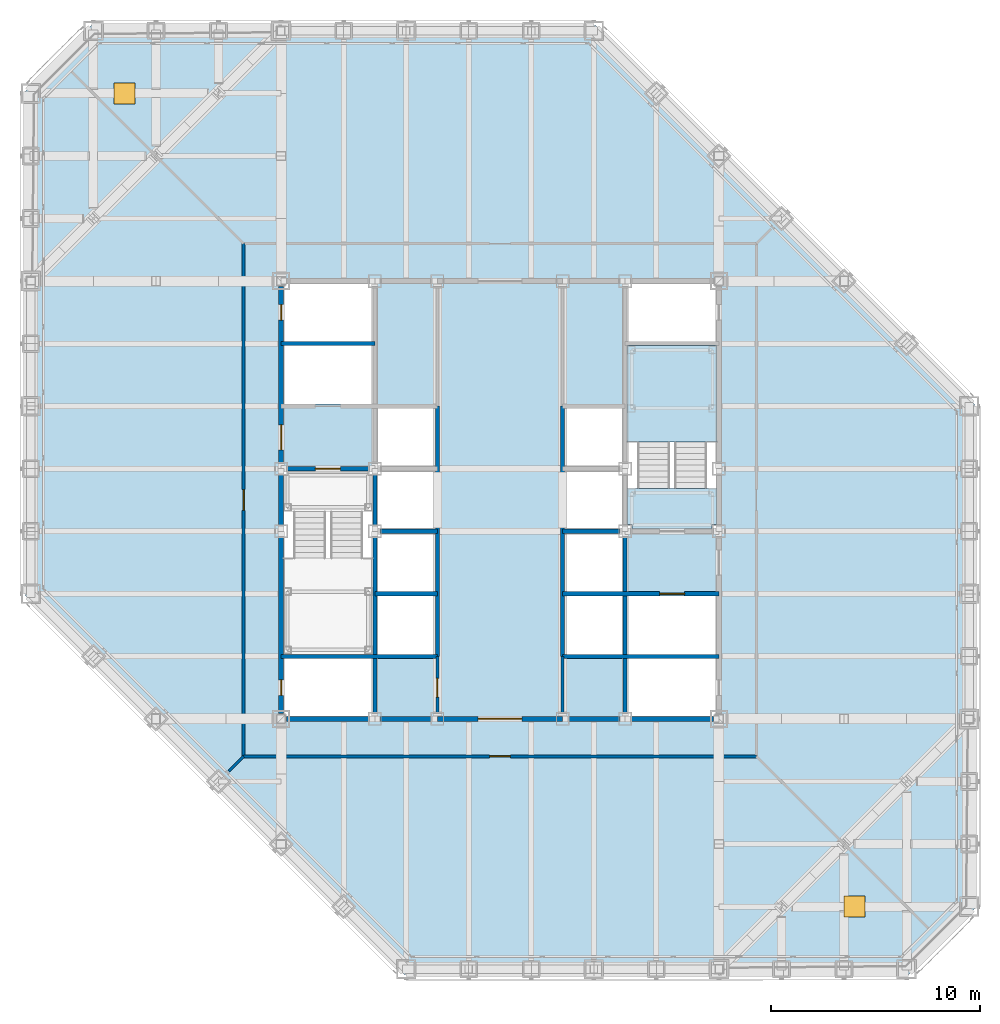
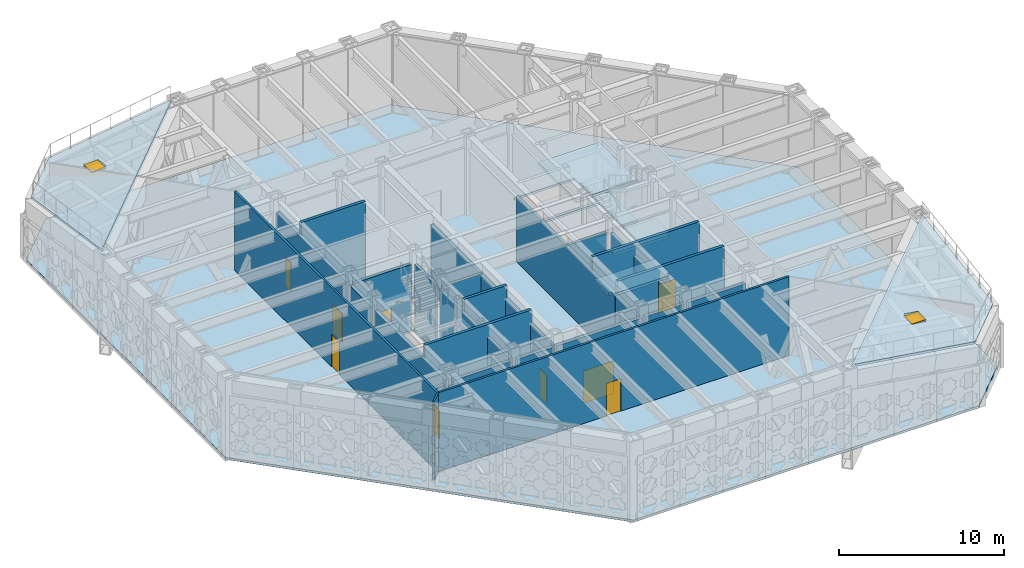
# One storey, part 10 of 28: 26 walls, 11 doors, 7 slabs, 11 openings, 1 element without a shape of its own.
"""IFC4 building model written with IfcOpenShell, lengths in metres."""

from ifc_helpers import new_model, si_unit, direction, frame, frame_2d, origin, origin_2d, place, context, subcontext, project, spatial, polyline, rectangle, outline, extrude, material, layer, layer_set, type_object, element, fill, aggregate, save


model = new_model("IFC4")

# Units and contexts
model_context = context("Model", 3, precision=1e-05, world=origin(), true_north=direction((0.0, 1.0)))
body_context = subcontext(model_context, "Body", "Model", "MODEL_VIEW")
ifc_project = project(units=[si_unit("LENGTHUNIT", "METRE"), si_unit("AREAUNIT", "SQUARE_METRE"), si_unit("VOLUMEUNIT", "CUBIC_METRE"), si_unit("PLANEANGLEUNIT", "RADIAN"), si_unit("MASSUNIT", "GRAM", prefix="KILO")], contexts=[model_context])

# Site, building, storey
site_placement = place(None, origin())
site = spatial("IfcSite", under=ifc_project, at=site_placement, CompositionType="ELEMENT")
building_placement = place(site_placement, origin())
building = spatial("IfcBuilding", under=site, at=building_placement, Name="Chuquiago Exchange Tower", CompositionType="ELEMENT")
storey_placement = place(building_placement, frame((0.0, 0.0, 174.0)))
storey = spatial("IfcBuildingStorey", under=building, at=storey_placement, Name="L38", CompositionType="ELEMENT", Elevation=174.0)

# Slab
ifc_material_1 = material(Name="Concrete C30/37", Category="concrete")
ifc_layer_1 = layer(ifc_material_1, 0.159912109375)
ifc_layer_set_1 = layer_set([ifc_layer_1], Name="FS1 composite floor 160")
slab_type_1 = type_object("IfcSlabType", Name="FS1 composite floor 160", PredefinedType="FLOOR", material=ifc_layer_set_1)
slab_1_placement = place(storey_placement, frame((0.0, 0.0, -0.159912109375)))
element("IfcSlab", 1, at=slab_1_placement, inside=storey, type_object=slab_type_1, Name="L38 floor slab", PredefinedType="FLOOR", context=body_context, shape_type="SweptSolid", body=[
    extrude(outline(polyline([(17.896484375, -0.25), (-0.25, 17.896484375), (-0.25, 42.103515625), (2.896484375, 45.25), (27.103515625, 45.25), (45.25, 27.103515625), (45.25, 2.896484375), (42.103515625, -0.25), (17.896484375, -0.25)]), holes=[polyline([(16.39990234375, 15.10009765625), (12.10009765625, 15.10009765625), (12.10009765625, 23.89990234375), (16.39990234375, 23.89990234375), (16.39990234375, 15.10009765625)]), polyline([(32.89990234375, 21.10009765625), (28.60009765625, 21.10009765625), (28.60009765625, 29.89990234375), (32.89990234375, 29.89990234375), (32.89990234375, 21.10009765625)]), polyline([(16.39990234375, 12.10009765625), (12.10009765625, 12.10009765625), (12.10009765625, 14.89990234375), (16.39990234375, 14.89990234375), (16.39990234375, 12.10009765625)]), polyline([(16.39990234375, 30.10009765625), (12.10009765625, 30.10009765625), (12.10009765625, 32.89990234375), (16.39990234375, 32.89990234375), (16.39990234375, 30.10009765625)]), polyline([(32.89990234375, 12.10009765625), (28.60009765625, 12.10009765625), (28.60009765625, 14.89990234375), (32.89990234375, 14.89990234375), (32.89990234375, 12.10009765625)]), polyline([(32.89990234375, 30.10009765625), (28.60009765625, 30.10009765625), (28.60009765625, 32.89990234375), (32.89990234375, 32.89990234375), (32.89990234375, 30.10009765625)]), polyline([(16.39990234375, 27.10009765625), (12.10009765625, 27.10009765625), (12.10009765625, 29.89990234375), (16.39990234375, 29.89990234375), (16.39990234375, 27.10009765625)]), polyline([(32.89990234375, 15.10009765625), (28.60009765625, 15.10009765625), (28.60009765625, 17.89990234375), (32.89990234375, 17.89990234375), (32.89990234375, 15.10009765625)]), polyline([(19.39990234375, 15.10009765625), (16.60009765625, 15.10009765625), (16.60009765625, 26.89990234375), (19.39990234375, 26.89990234375), (19.39990234375, 15.10009765625)]), polyline([(28.39990234375, 15.10009765625), (25.60009765625, 15.10009765625), (25.60009765625, 26.89990234375), (28.39990234375, 26.89990234375), (28.39990234375, 15.10009765625)])]), origin(), (0.0, 0.0, 1.0), 0.159912109375),
])

# Slab, opening, door
ifc_material_2 = material(Name="Concrete C30/37", Category="concrete")
ifc_layer_2 = layer(ifc_material_2, 0.199951171875)
ifc_layer_set_2 = layer_set([ifc_layer_2], Name="RS2 facet roof 200")
slab_type_2 = type_object("IfcSlabType", Name="RS2 facet roof 200", PredefinedType="ROOF", material=ifc_layer_set_2)
slab_2_placement = place(storey_placement, frame((45.0, 3.0, 4.647216796875), z_axis=(0.14704136154, -0.14704136154, 0.978139906145), x_axis=(-0.707106781187, -0.707106781187, 0.0)))
slab_2 = element("IfcSlab", 2, at=slab_2_placement, inside=storey, type_object=slab_type_2, Name="Facet roof L38 SE, maintenance access only", PredefinedType="ROOF", context=body_context, shape_type="SweptSolid", body=[
    extrude(outline(polyline([(0.0, 0.0), (4.242640687119286, 0.0), (10.356628422105313, -6.250627028483348), (-6.113987734986027, -6.250627028483347), (0.0, 0.0)])), origin(), (0.0, 0.0, -1.0), 0.199951171875),
])
opening_1_placement = place(storey_placement, frame((39.5, 3.0, 4.969482421875)))
opening_1 = element("IfcOpeningElement", 3, at=opening_1_placement, cuts=slab_2, Name="Opening RH2", PredefinedType="OPENING", context=body_context, shape_type="SweptSolid", body=[
    extrude(rectangle(XDim=1.0, YDim=1.0, at=origin_2d()), origin(), (0.0, 0.0, 1.0), 0.804443359375),
])
ifc_material_3 = material(Name="Aluminium hatch, insulated, with upstand", Category="aluminium")
door_type_1 = type_object("IfcDoorType", Name="RH2 roof hatch 1000x1000", OperationType="SINGLE_SWING_LEFT", PredefinedType="TRAPDOOR", material=ifc_material_3)
door_1_placement = place(opening_1_placement, frame((0.0, 0.0, 0.454345703125)))
door_1 = element("IfcDoor", 4, at=door_1_placement, inside=storey, type_object=door_type_1, Name="Facet roof L38 SE access hatch, maintenance only", OperationType="SINGLE_SWING_LEFT", OverallHeight=1.0, OverallWidth=1.0, PredefinedType="TRAPDOOR", context=body_context, shape_type="SweptSolid", body=[
    extrude(rectangle(XDim=1.0, YDim=1.0, at=origin_2d()), origin(), (0.0, 0.0, 1.0), 0.050048828125),
])
fill(opening_1, door_1)

slab_3_placement = place(storey_placement, frame((0.0, 42.0, 4.647216796875), z_axis=(-0.14704136154, 0.14704136154, 0.978139906145), x_axis=(0.707106781187, 0.707106781187, 0.0)))
slab_3 = element("IfcSlab", 5, at=slab_3_placement, inside=storey, type_object=slab_type_2, Name="Facet roof L38 NW, maintenance access only", PredefinedType="ROOF", context=body_context, shape_type="SweptSolid", body=[
    extrude(outline(polyline([(0.0, 0.0), (4.242640687119286, 0.0), (10.356628422105313, -6.250627028483348), (-6.113987734986027, -6.250627028483347), (0.0, 0.0)])), origin(), (0.0, 0.0, -1.0), 0.199951171875),
])
opening_2_placement = place(storey_placement, frame((4.5, 42.0, 4.8193359375)))
opening_2 = element("IfcOpeningElement", 6, at=opening_2_placement, cuts=slab_3, Name="Opening RH2", PredefinedType="OPENING", context=body_context, shape_type="SweptSolid", body=[
    extrude(rectangle(XDim=1.0, YDim=1.0, at=origin_2d()), origin(), (0.0, 0.0, 1.0), 0.804443359375),
])
door_2_placement = place(opening_2_placement, frame((0.0, 0.0, 0.454345703125)))
door_2 = element("IfcDoor", 7, at=door_2_placement, inside=storey, type_object=door_type_1, Name="Facet roof L38 NW access hatch, maintenance only", OperationType="SINGLE_SWING_LEFT", OverallHeight=1.0, OverallWidth=1.0, PredefinedType="TRAPDOOR", context=body_context, shape_type="SweptSolid", body=[
    extrude(rectangle(XDim=1.0, YDim=1.0, at=origin_2d()), origin(), (0.0, 0.0, 1.0), 0.050048828125),
])
fill(opening_2, door_2)

# Stair, slabs
ifc_material_4 = material(Name="Concrete C30/37, precast", Category="concrete")
stair_type = type_object("IfcStairType", Name="ST2 double half-turn stair 6000", PredefinedType="DOUBLE_RETURN_STAIR", material=ifc_material_4)
stair_placement = place(storey_placement, origin())
stair = element("IfcStair", 8, at=stair_placement, inside=storey, type_object=stair_type, Name="Stair ST2 L38", PredefinedType="DOUBLE_RETURN_STAIR")
ifc_material_5 = material(Name="Concrete C30/37, precast", Category="concrete")
ifc_layer_3 = layer(ifc_material_5, 0.199951171875)
ifc_layer_set_3 = layer_set([ifc_layer_3], Name="ST-L landing 200")
slab_type_3 = type_object("IfcSlabType", Name="ST-L landing 200", PredefinedType="LANDING", material=ifc_layer_set_3)
slab_4_placement = place(storey_placement, frame((0.0, 0.0, -0.199951171875)))
slab_4 = element("IfcSlab", 9, at=slab_4_placement, type_object=slab_type_3, Name="ST2 landing 1", PredefinedType="LANDING", context=body_context, shape_type="SweptSolid", body=[
    extrude(outline(polyline([(32.675048828125, 21.324951171875), (32.675048828125, 21.10009765625), (28.824951171875, 21.10009765625), (28.824951171875, 21.324951171875), (28.60009765625, 21.324951171875), (28.60009765625, 23.050048828125), (32.89990234375, 23.050048828125), (32.89990234375, 21.324951171875), (32.675048828125, 21.324951171875)])), origin(), (0.0, 0.0, 1.0), 0.199951171875),
])
slab_5_placement = place(storey_placement, frame((0.0, 0.0, 1.300048828125)))
slab_5 = element("IfcSlab", 10, at=slab_5_placement, type_object=slab_type_3, Name="ST2 landing 2", PredefinedType="LANDING", context=body_context, shape_type="SweptSolid", body=[
    extrude(outline(polyline([(28.60009765625, 29.89990234375), (32.89990234375, 29.89990234375), (32.89990234375, 25.2900390625), (28.60009765625, 25.2900390625), (28.60009765625, 29.89990234375)])), origin(), (0.0, 0.0, 1.0), 0.199951171875),
])
slab_6_placement = place(storey_placement, frame((0.0, 0.0, 2.800048828125)))
slab_6 = element("IfcSlab", 11, at=slab_6_placement, type_object=slab_type_3, Name="ST2 landing 3", PredefinedType="LANDING", context=body_context, shape_type="SweptSolid", body=[
    extrude(outline(polyline([(32.675048828125, 21.324951171875), (32.675048828125, 21.10009765625), (28.824951171875, 21.10009765625), (28.824951171875, 21.324951171875), (28.60009765625, 21.324951171875), (28.60009765625, 23.050048828125), (32.89990234375, 23.050048828125), (32.89990234375, 21.324951171875), (32.675048828125, 21.324951171875)])), origin(), (0.0, 0.0, 1.0), 0.199951171875),
])
slab_7_placement = place(storey_placement, frame((0.0, 0.0, 4.300048828125)))
slab_7 = element("IfcSlab", 12, at=slab_7_placement, type_object=slab_type_3, Name="ST2 landing 4", PredefinedType="LANDING", context=body_context, shape_type="SweptSolid", body=[
    extrude(outline(polyline([(28.60009765625, 29.89990234375), (32.89990234375, 29.89990234375), (32.89990234375, 25.2900390625), (28.60009765625, 25.2900390625), (28.60009765625, 29.89990234375)])), origin(), (0.0, 0.0, 1.0), 0.199951171875),
])
aggregate(stair, [slab_4, slab_5, slab_6, slab_7])

# Wall, opening, door
ifc_material_6 = material(Name="Concrete masonry, fully grouted", Category="masonry")
ifc_layer_4 = layer(ifc_material_6, 0.25)
ifc_layer_set_4 = layer_set([ifc_layer_4], Name="W1 core wall 250")
wall_type_1 = type_object("IfcWallType", Name="W1 core wall 250", PredefinedType="SOLIDWALL", material=ifc_layer_set_4)
wall_1_placement = place(storey_placement, frame((12.0, 12.25, 0.0), z_axis=(0.0, 0.0, 1.0), x_axis=(0.0, 1.0, 0.0)))
wall_1 = element("IfcWall", 13, at=wall_1_placement, inside=storey, type_object=wall_type_1, Name="CW-L38-00-0", PredefinedType="SOLIDWALL", context=body_context, shape_type="SweptSolid", body=[
    extrude(rectangle(XDim=8.5, YDim=0.25, at=frame_2d((4.25, 0.0))), origin(), (0.0, 0.0, 1.0), 4.912841796875),
])
opening_3_placement = place(wall_1_placement, frame((0.875, 0.0, 0.0)))
opening_3 = element("IfcOpeningElement", 14, at=opening_3_placement, cuts=wall_1, Name="Opening L38-009", PredefinedType="OPENING", context=body_context, shape_type="SweptSolid", body=[
    extrude(rectangle(XDim=0.75, YDim=2.10009765625, at=frame_2d((0.375, 1.050048828125))), frame((0.0, 0.135009765625, 0.0), z_axis=(0.0, -1.0, 0.0), x_axis=(1.0, 0.0, 0.0)), (0.0, 0.0, 1.0), 0.27001953125),
])
ifc_material_7 = material(Name="Steel door, painted", Category="steel")
door_type_2 = type_object("IfcDoorType", Name="D6 riser access door 750x2100", OperationType="SINGLE_SWING_LEFT", PredefinedType="DOOR", material=ifc_material_7)
door_3_placement = place(opening_3_placement, frame((0.75, 0.0, 0.0), z_axis=(0.0, 0.0, 1.0), x_axis=(-1.0, 0.0, 0.0)))
door_3 = element("IfcDoor", 15, at=door_3_placement, inside=storey, type_object=door_type_2, Name="Riser RW1 door", OperationType="SINGLE_SWING_RIGHT", OverallHeight=2.10009765625, OverallWidth=0.75, PredefinedType="DOOR", context=body_context, shape_type="SweptSolid", body=[
    extrude(rectangle(XDim=0.75, YDim=2.10009765625, at=frame_2d((0.375, 1.050048828125))), frame((0.0, 0.02490234375, 0.0), z_axis=(0.0, -1.0, 0.0), x_axis=(1.0, 0.0, 0.0)), (0.0, 0.0, 1.0), 0.050048828125),
])
fill(opening_3, door_3)

# Wall
wall_2_placement = place(storey_placement, frame((12.0, 21.25, 0.0), z_axis=(0.0, 0.0, 1.0), x_axis=(0.0, 1.0, 0.0)))
element("IfcWall", 16, at=wall_2_placement, inside=storey, type_object=wall_type_1, Name="CW-L38-00-1", PredefinedType="SOLIDWALL", context=body_context, shape_type="SweptSolid", body=[
    extrude(rectangle(XDim=2.5, YDim=0.25, at=frame_2d((1.25, 0.0))), origin(), (0.0, 0.0, 1.0), 4.912841796875),
])

# Wall, openings, doors
wall_3_placement = place(storey_placement, frame((12.0, 24.25, 0.0), z_axis=(0.0, 0.0, 1.0), x_axis=(0.0, 1.0, 0.0)))
wall_3 = element("IfcWall", 17, at=wall_3_placement, inside=storey, type_object=wall_type_1, Name="CW-L38-00-2", PredefinedType="SOLIDWALL", context=body_context, shape_type="SweptSolid", body=[
    extrude(rectangle(XDim=8.5, YDim=0.25, at=frame_2d((4.25, 0.0))), origin(), (0.0, 0.0, 1.0), 4.912841796875),
])
opening_4_placement = place(wall_3_placement, frame((0.64990234375, 0.0, 0.0)))
opening_4 = element("IfcOpeningElement", 18, at=opening_4_placement, cuts=wall_3, Name="Opening L38-004", PredefinedType="OPENING", context=body_context, shape_type="SweptSolid", body=[
    extrude(rectangle(XDim=1.199951171875, YDim=2.10009765625, at=frame_2d((0.60009765625, 1.050048828125))), frame((0.0, 0.135009765625, 0.0), z_axis=(0.0, -1.0, 0.0), x_axis=(1.0, 0.0, 0.0)), (0.0, 0.0, 1.0), 0.27001953125),
])
opening_5_placement = place(wall_3_placement, frame((6.875, 0.0, 0.0)))
opening_5 = element("IfcOpeningElement", 19, at=opening_5_placement, cuts=wall_3, Name="Opening L38-010", PredefinedType="OPENING", context=body_context, shape_type="SweptSolid", body=[
    extrude(rectangle(XDim=0.75, YDim=2.10009765625, at=frame_2d((0.375, 1.050048828125))), frame((0.0, 0.135009765625, 0.0), z_axis=(0.0, -1.0, 0.0), x_axis=(1.0, 0.0, 0.0)), (0.0, 0.0, 1.0), 0.27001953125),
])
ifc_material_8 = material(Name="Steel door, painted", Category="steel")
door_type_3 = type_object("IfcDoorType", Name="D5 firefighting lobby door 1200x2100", OperationType="SINGLE_SWING_LEFT", PredefinedType="DOOR", material=ifc_material_8)
door_4_placement = place(opening_4_placement, frame((1.199951171875, 0.0, 0.0), z_axis=(0.0, 0.0, 1.0), x_axis=(-1.0, 0.0, 0.0)))
door_4 = element("IfcDoor", 20, at=door_4_placement, inside=storey, type_object=door_type_3, Name="Firefighting lobby 1 door", OperationType="SINGLE_SWING_RIGHT", OverallHeight=2.10009765625, OverallWidth=1.199951171875, PredefinedType="DOOR", context=body_context, shape_type="SweptSolid", body=[
    extrude(rectangle(XDim=1.199951171875, YDim=2.10009765625, at=frame_2d((0.60009765625, 1.050048828125))), frame((0.0, 0.02490234375, 0.0), z_axis=(0.0, -1.0, 0.0), x_axis=(1.0, 0.0, 0.0)), (0.0, 0.0, 1.0), 0.050048828125),
])
fill(opening_4, door_4)
door_5_placement = place(opening_5_placement, frame((0.75, 0.0, 0.0), z_axis=(0.0, 0.0, 1.0), x_axis=(-1.0, 0.0, 0.0)))
door_5 = element("IfcDoor", 21, at=door_5_placement, inside=storey, type_object=door_type_2, Name="Riser RW2 door", OperationType="SINGLE_SWING_LEFT", OverallHeight=2.10009765625, OverallWidth=0.75, PredefinedType="DOOR", context=body_context, shape_type="SweptSolid", body=[
    extrude(rectangle(XDim=0.75, YDim=2.10009765625, at=frame_2d((0.375, 1.050048828125))), frame((0.0, 0.02490234375, 0.0), z_axis=(0.0, -1.0, 0.0), x_axis=(1.0, 0.0, 0.0)), (0.0, 0.0, 1.0), 0.050048828125),
])
fill(opening_5, door_5)

# Walls
wall_4_placement = place(storey_placement, frame((12.25, 12.0, 0.0), z_axis=(0.0, 0.0, 1.0), x_axis=(1.0, 0.0, 0.0)))
element("IfcWall", 22, at=wall_4_placement, inside=storey, type_object=wall_type_1, Name="CW-L38-01-0", PredefinedType="SOLIDWALL", context=body_context, shape_type="SweptSolid", body=[
    extrude(rectangle(XDim=4.0, YDim=0.25, at=frame_2d((2.0, 0.0))), origin(), (0.0, 0.0, 1.0), 4.9814453125),
])
for number, where, z_axis, x_axis, name in (
    (23, (16.75, 12.0, 0.0), (0.0, 0.0, 1.0), (1.0, 0.0, 0.0), "CW-L38-01-1"),
    (24, (25.75, 12.0, 0.0), (0.0, 0.0, 1.0), (1.0, 0.0, 0.0), "CW-L38-02-0"),
):
    element("IfcWall", number, at=place(storey_placement, frame(where, z_axis=z_axis, x_axis=x_axis)), inside=storey, type_object=wall_type_1, Name=name, PredefinedType="SOLIDWALL", context=body_context, shape_type="SweptSolid", body=[
        extrude(rectangle(XDim=2.5, YDim=0.25, at=frame_2d((1.25, 0.0))), origin(), (0.0, 0.0, 1.0), 4.9814453125),
    ])
wall_5_placement = place(storey_placement, frame((28.75, 12.0, 0.0), z_axis=(0.0, 0.0, 1.0), x_axis=(1.0, 0.0, 0.0)))
element("IfcWall", 25, at=wall_5_placement, inside=storey, type_object=wall_type_1, Name="CW-L38-02-1", PredefinedType="SOLIDWALL", context=body_context, shape_type="SweptSolid", body=[
    extrude(rectangle(XDim=4.0, YDim=0.25, at=frame_2d((2.0, 0.0))), origin(), (0.0, 0.0, 1.0), 4.9814453125),
])

# Wall, opening, door
wall_6_placement = place(storey_placement, frame((19.5, 12.0, 0.0), z_axis=(0.0, 0.0, 1.0), x_axis=(1.0, 0.0, 0.0)))
wall_6 = element("IfcWall", 26, at=wall_6_placement, inside=storey, type_object=wall_type_1, Name="CW-L38-LLS", PredefinedType="SOLIDWALL", context=body_context, shape_type="SweptSolid", body=[
    extrude(rectangle(XDim=6.0, YDim=0.25, at=frame_2d((3.0, 0.0))), origin(), (0.0, 0.0, 1.0), 4.9814453125),
])
opening_6_placement = place(wall_6_placement, frame((1.949951171875, 0.0, 0.0)))
opening_6 = element("IfcOpeningElement", 27, at=opening_6_placement, cuts=wall_6, Name="Opening L38-001", PredefinedType="OPENING", context=body_context, shape_type="SweptSolid", body=[
    extrude(rectangle(XDim=2.10009765625, YDim=2.39990234375, at=frame_2d((1.050048828125, 1.199951171875))), frame((0.0, 0.135009765625, 0.0), z_axis=(0.0, -1.0, 0.0), x_axis=(1.0, 0.0, 0.0)), (0.0, 0.0, 1.0), 0.27001953125),
])
ifc_material_9 = material(Name="Steel door, painted", Category="steel")
door_type_4 = type_object("IfcDoorType", Name="D11 plant room double door 2100x2400", OperationType="DOUBLE_DOOR_DOUBLE_SWING", PredefinedType="DOOR", material=ifc_material_9)
door_6_placement = place(opening_6_placement, origin())
door_6 = element("IfcDoor", 28, at=door_6_placement, inside=storey, type_object=door_type_4, Name="Plant room door S", OperationType="DOUBLE_DOOR_DOUBLE_SWING", OverallHeight=2.39990234375, OverallWidth=2.10009765625, PredefinedType="DOOR", context=body_context, shape_type="SweptSolid", body=[
    extrude(rectangle(XDim=2.10009765625, YDim=2.39990234375, at=frame_2d((1.050048828125, 1.199951171875))), frame((0.0, 0.02490234375, 0.0), z_axis=(0.0, -1.0, 0.0), x_axis=(1.0, 0.0, 0.0)), (0.0, 0.0, 1.0), 0.050048828125),
])
fill(opening_6, door_6)

ifc_material_10 = material(Name="Gypsum board on steel studs, acoustic insulation", Category="steel")
ifc_layer_5 = layer(ifc_material_10, 0.14990234375)
ifc_layer_set_5 = layer_set([ifc_layer_5], Name="W11 corridor wall 150")
wall_type_2 = type_object("IfcWallType", Name="W11 corridor wall 150", PredefinedType="PARTITIONING", material=ifc_layer_set_5)
wall_7_placement = place(storey_placement, frame((10.199951171875, 10.199951171875, 0.0), z_axis=(0.0, 0.0, 1.0), x_axis=(1.0, 0.0, 0.0)))
wall_7 = element("IfcWall", 29, at=wall_7_placement, inside=storey, type_object=wall_type_2, Name="PW-L38-PCS", PredefinedType="PARTITIONING", context=body_context, shape_type="SweptSolid", body=[
    extrude(rectangle(XDim=24.60009765625, YDim=0.14990234375, at=frame_2d((12.300048828125, 0.0))), origin(), (0.0, 0.0, 1.0), 5.840087890625),
])
opening_7_placement = place(wall_7_placement, frame((11.800048828125, 0.0, 0.0)))
opening_7 = element("IfcOpeningElement", 30, at=opening_7_placement, cuts=wall_7, Name="Opening L38-014", PredefinedType="OPENING", context=body_context, shape_type="SweptSolid", body=[
    extrude(rectangle(XDim=1.0, YDim=2.39990234375, at=frame_2d((0.5, 1.199951171875))), frame((0.0, 0.0849609375, 0.0), z_axis=(0.0, -1.0, 0.0), x_axis=(1.0, 0.0, 0.0)), (0.0, 0.0, 1.0), 0.169921875),
])
ifc_material_11 = material(Name="Timber door, laminate faced", Category="wood")
door_type_5 = type_object("IfcDoorType", Name="D9 room door 1000x2400", OperationType="SINGLE_SWING_LEFT", PredefinedType="DOOR", material=ifc_material_11)
door_7_placement = place(opening_7_placement, frame((1.0, 0.0, 0.0), z_axis=(0.0, 0.0, 1.0), x_axis=(-1.0, 0.0, 0.0)))
door_7 = element("IfcDoor", 31, at=door_7_placement, inside=storey, type_object=door_type_5, Name="Plant corridor south door", OperationType="SINGLE_SWING_LEFT", OverallHeight=2.39990234375, OverallWidth=1.0, PredefinedType="DOOR", context=body_context, shape_type="SweptSolid", body=[
    extrude(rectangle(XDim=1.0, YDim=2.39990234375, at=frame_2d((0.5, 1.199951171875))), frame((0.0, 0.02490234375, 0.0), z_axis=(0.0, -1.0, 0.0), x_axis=(1.0, 0.0, 0.0)), (0.0, 0.0, 1.0), 0.050048828125),
])
fill(opening_7, door_7)

wall_8_placement = place(storey_placement, frame((10.199951171875, 10.199951171875, 0.0), z_axis=(0.0, 0.0, 1.0), x_axis=(0.0, 1.0, 0.0)))
wall_8 = element("IfcWall", 32, at=wall_8_placement, inside=storey, type_object=wall_type_2, Name="PW-L38-PCW", PredefinedType="PARTITIONING", context=body_context, shape_type="SweptSolid", body=[
    extrude(rectangle(XDim=24.60009765625, YDim=0.14990234375, at=frame_2d((12.300048828125, 0.0))), origin(), (0.0, 0.0, 1.0), 5.840087890625),
])
opening_8_placement = place(wall_8_placement, frame((11.800048828125, 0.0, 0.0)))
opening_8 = element("IfcOpeningElement", 33, at=opening_8_placement, cuts=wall_8, Name="Opening L38-016", PredefinedType="OPENING", context=body_context, shape_type="SweptSolid", body=[
    extrude(rectangle(XDim=1.0, YDim=2.39990234375, at=frame_2d((0.5, 1.199951171875))), frame((0.0, 0.0849609375, 0.0), z_axis=(0.0, -1.0, 0.0), x_axis=(1.0, 0.0, 0.0)), (0.0, 0.0, 1.0), 0.169921875),
])
door_8_placement = place(opening_8_placement, origin())
door_8 = element("IfcDoor", 34, at=door_8_placement, inside=storey, type_object=door_type_5, Name="Plant corridor west door", OperationType="SINGLE_SWING_RIGHT", OverallHeight=2.39990234375, OverallWidth=1.0, PredefinedType="DOOR", context=body_context, shape_type="SweptSolid", body=[
    extrude(rectangle(XDim=1.0, YDim=2.39990234375, at=frame_2d((0.5, 1.199951171875))), frame((0.0, 0.02490234375, 0.0), z_axis=(0.0, -1.0, 0.0), x_axis=(1.0, 0.0, 0.0)), (0.0, 0.0, 1.0), 0.050048828125),
])
fill(opening_8, door_8)

# Walls
ifc_material_12 = material(Name="Concrete masonry, fully grouted", Category="masonry")
ifc_layer_6 = layer(ifc_material_12, 0.199951171875)
ifc_layer_set_6 = layer_set([ifc_layer_6], Name="W2 shaft wall 200")
wall_type_3 = type_object("IfcWallType", Name="W2 shaft wall 200", PredefinedType="SOLIDWALL", material=ifc_layer_set_6)
for number, where, z_axis, x_axis, name in (
    (35, (12.0, 15.0, 0.0), (0.0, 0.0, 1.0), (1.0, 0.0, 0.0), "CW-L38-03-0"),
    (36, (25.5, 15.0, 0.0), (0.0, 0.0, 1.0), (1.0, 0.0, 0.0), "CW-L38-04-0"),
):
    element("IfcWall", number, at=place(storey_placement, frame(where, z_axis=z_axis, x_axis=x_axis)), inside=storey, type_object=wall_type_3, Name=name, PredefinedType="SOLIDWALL", context=body_context, shape_type="SweptSolid", body=[
        extrude(rectangle(XDim=7.5, YDim=0.199951171875, at=frame_2d((3.75, 0.0))), origin(), (0.0, 0.0, 1.0), 5.840087890625),
    ])

# Wall, opening, door
wall_9_placement = place(storey_placement, frame((12.25, 24.0, 0.0), z_axis=(0.0, 0.0, 1.0), x_axis=(1.0, 0.0, 0.0)))
wall_9 = element("IfcWall", 37, at=wall_9_placement, inside=storey, type_object=wall_type_3, Name="CW-L38-05-0", PredefinedType="SOLIDWALL", context=body_context, shape_type="SweptSolid", body=[
    extrude(rectangle(XDim=4.0, YDim=0.199951171875, at=frame_2d((2.0, 0.0))), origin(), (0.0, 0.0, 1.0), 4.889892578125),
])
opening_9_placement = place(wall_9_placement, frame((1.39990234375, 0.0, 0.0)))
opening_9 = element("IfcOpeningElement", 38, at=opening_9_placement, cuts=wall_9, Name="Opening L38-003", PredefinedType="OPENING", context=body_context, shape_type="SweptSolid", body=[
    extrude(rectangle(XDim=1.199951171875, YDim=2.10009765625, at=frame_2d((0.60009765625, 1.050048828125))), frame((0.0, 0.10986328125, 0.0), z_axis=(0.0, -1.0, 0.0), x_axis=(1.0, 0.0, 0.0)), (0.0, 0.0, 1.0), 0.219970703125),
])
ifc_material_13 = material(Name="Steel door, painted", Category="steel")
door_type_6 = type_object("IfcDoorType", Name="D4 stair door 1200x2100", OperationType="SINGLE_SWING_LEFT", PredefinedType="DOOR", material=ifc_material_13)
door_9_placement = place(opening_9_placement, frame((1.199951171875, 0.0, 0.0), z_axis=(0.0, 0.0, 1.0), x_axis=(-1.0, 0.0, 0.0)))
door_9 = element("IfcDoor", 39, at=door_9_placement, inside=storey, type_object=door_type_6, Name="Stair ST1 door", OperationType="SINGLE_SWING_RIGHT", OverallHeight=2.10009765625, OverallWidth=1.199951171875, PredefinedType="DOOR", context=body_context, shape_type="SweptSolid", body=[
    extrude(rectangle(XDim=1.199951171875, YDim=2.10009765625, at=frame_2d((0.60009765625, 1.050048828125))), frame((0.0, 0.02490234375, 0.0), z_axis=(0.0, -1.0, 0.0), x_axis=(1.0, 0.0, 0.0)), (0.0, 0.0, 1.0), 0.050048828125),
])
fill(opening_9, door_9)

# Walls
wall_10_placement = place(storey_placement, frame((12.0, 30.0, 0.0), z_axis=(0.0, 0.0, 1.0), x_axis=(1.0, 0.0, 0.0)))
element("IfcWall", 40, at=wall_10_placement, inside=storey, type_object=wall_type_3, Name="CW-L38-09-0", PredefinedType="SOLIDWALL", context=body_context, shape_type="SweptSolid", body=[
    extrude(rectangle(XDim=4.5, YDim=0.199951171875, at=frame_2d((2.25, 0.0))), origin(), (0.0, 0.0, 1.0), 5.840087890625),
])
wall_11_placement = place(storey_placement, frame((16.5, 12.25, 0.0), z_axis=(0.0, 0.0, 1.0), x_axis=(0.0, 1.0, 0.0)))
element("IfcWall", 41, at=wall_11_placement, inside=storey, type_object=wall_type_3, Name="CW-L38-13-0", PredefinedType="SOLIDWALL", context=body_context, shape_type="SweptSolid", body=[
    extrude(rectangle(XDim=8.5, YDim=0.199951171875, at=frame_2d((4.25, 0.0))), origin(), (0.0, 0.0, 1.0), 4.912841796875),
])
wall_12_placement = place(storey_placement, frame((16.5, 21.25, 0.0), z_axis=(0.0, 0.0, 1.0), x_axis=(0.0, 1.0, 0.0)))
element("IfcWall", 42, at=wall_12_placement, inside=storey, type_object=wall_type_3, Name="CW-L38-13-1", PredefinedType="SOLIDWALL", context=body_context, shape_type="SweptSolid", body=[
    extrude(rectangle(XDim=2.5, YDim=0.199951171875, at=frame_2d((1.25, 0.0))), origin(), (0.0, 0.0, 1.0), 4.912841796875),
])
wall_13_placement = place(storey_placement, frame((16.5, 18.0, 0.0), z_axis=(0.0, 0.0, 1.0), x_axis=(1.0, 0.0, 0.0)))
element("IfcWall", 43, at=wall_13_placement, inside=storey, type_object=wall_type_3, Name="CW-L38-14-0", PredefinedType="SOLIDWALL", context=body_context, shape_type="SweptSolid", body=[
    extrude(rectangle(XDim=3.0, YDim=0.199951171875, at=frame_2d((1.5, 0.0))), origin(), (0.0, 0.0, 1.0), 5.840087890625),
])

# Wall, opening, door
wall_14_placement = place(storey_placement, frame((25.5, 18.0, 0.0), z_axis=(0.0, 0.0, 1.0), x_axis=(1.0, 0.0, 0.0)))
wall_14 = element("IfcWall", 44, at=wall_14_placement, inside=storey, type_object=wall_type_3, Name="CW-L38-15-0", PredefinedType="SOLIDWALL", context=body_context, shape_type="SweptSolid", body=[
    extrude(rectangle(XDim=7.5, YDim=0.199951171875, at=frame_2d((3.75, 0.0))), origin(), (0.0, 0.0, 1.0), 5.840087890625),
])
opening_10_placement = place(wall_14_placement, frame((4.64990234375, 0.0, 0.0)))
opening_10 = element("IfcOpeningElement", 45, at=opening_10_placement, cuts=wall_14, Name="Opening L38-008", PredefinedType="OPENING", context=body_context, shape_type="SweptSolid", body=[
    extrude(rectangle(XDim=1.199951171875, YDim=2.10009765625, at=frame_2d((0.60009765625, 1.050048828125))), frame((0.0, 0.10986328125, 0.0), z_axis=(0.0, -1.0, 0.0), x_axis=(1.0, 0.0, 0.0)), (0.0, 0.0, 1.0), 0.219970703125),
])
ifc_material_14 = material(Name="Stainless steel lift landing door", Category="steel")
door_type_7 = type_object("IfcDoorType", Name="LD2 firefighting lift landing door 1200x2100", OperationType="DOUBLE_DOOR_SLIDING", PredefinedType="DOOR", material=ifc_material_14)
door_10_placement = place(opening_10_placement, origin())
door_10 = element("IfcDoor", 46, at=door_10_placement, inside=storey, type_object=door_type_7, Name="Firefighting lift FL2 landing door", OperationType="DOUBLE_DOOR_SLIDING", OverallHeight=2.10009765625, OverallWidth=1.199951171875, PredefinedType="DOOR", context=body_context, shape_type="SweptSolid", body=[
    extrude(rectangle(XDim=1.199951171875, YDim=2.10009765625, at=frame_2d((0.60009765625, 1.050048828125))), frame((0.0, 0.02490234375, 0.0), z_axis=(0.0, -1.0, 0.0), x_axis=(1.0, 0.0, 0.0)), (0.0, 0.0, 1.0), 0.050048828125),
])
fill(opening_10, door_10)

# Walls
for number, where, z_axis, x_axis, name in (
    (47, (16.75, 21.0, 0.0), (0.0, 0.0, 1.0), (1.0, 0.0, 0.0), "CW-L38-16-0"),
    (48, (25.5, 21.0, 0.0), (0.0, 0.0, 1.0), (1.0, 0.0, 0.0), "CW-L38-17-0"),
):
    element("IfcWall", number, at=place(storey_placement, frame(where, z_axis=z_axis, x_axis=x_axis)), inside=storey, type_object=wall_type_3, Name=name, PredefinedType="SOLIDWALL", context=body_context, shape_type="SweptSolid", body=[
        extrude(rectangle(XDim=2.75, YDim=0.199951171875, at=frame_2d((1.375, 0.0))), origin(), (0.0, 0.0, 1.0), 4.889892578125),
    ])
for number, where, z_axis, x_axis, name in (
    (49, (19.5, 15.0, 0.0), (0.0, 0.0, 1.0), (0.0, 1.0, 0.0), "CW-L38-19-0"),
    (50, (25.5, 15.0, 0.0), (0.0, 0.0, 1.0), (0.0, 1.0, 0.0), "CW-L38-22-0"),
):
    element("IfcWall", number, at=place(storey_placement, frame(where, z_axis=z_axis, x_axis=x_axis)), inside=storey, type_object=wall_type_3, Name=name, PredefinedType="SOLIDWALL", context=body_context, shape_type="SweptSolid", body=[
        extrude(rectangle(XDim=12.0, YDim=0.199951171875, at=frame_2d((6.0, 0.0))), origin(), (0.0, 0.0, 1.0), 4.864501953125),
    ])
wall_15_placement = place(storey_placement, frame((28.5, 12.25, 0.0), z_axis=(0.0, 0.0, 1.0), x_axis=(0.0, 1.0, 0.0)))
element("IfcWall", 51, at=wall_15_placement, inside=storey, type_object=wall_type_3, Name="CW-L38-24-0", PredefinedType="SOLIDWALL", context=body_context, shape_type="SweptSolid", body=[
    extrude(rectangle(XDim=8.5, YDim=0.199951171875, at=frame_2d((4.25, 0.0))), origin(), (0.0, 0.0, 1.0), 4.912841796875),
])

# Wall, opening, door
ifc_material_15 = material(Name="Gypsum board on steel studs", Category="steel")
ifc_layer_7 = layer(ifc_material_15, 0.14990234375)
ifc_layer_set_7 = layer_set([ifc_layer_7], Name="W3 core partition 150")
wall_type_4 = type_object("IfcWallType", Name="W3 core partition 150", PredefinedType="PARTITIONING", material=ifc_layer_set_7)
wall_16_placement = place(storey_placement, frame((19.5, 12.25, 0.0), z_axis=(0.0, 0.0, 1.0), x_axis=(0.0, 1.0, 0.0)))
wall_16 = element("IfcWall", 52, at=wall_16_placement, inside=storey, type_object=wall_type_4, Name="CW-L38-18-0", PredefinedType="PARTITIONING", context=body_context, shape_type="SweptSolid", body=[
    extrude(rectangle(XDim=2.75, YDim=0.14990234375, at=frame_2d((1.375, 0.0))), origin(), (0.0, 0.0, 1.0), 4.864501953125),
])
opening_11_placement = place(wall_16_placement, frame((0.800048828125, 0.0, 0.0)))
opening_11 = element("IfcOpeningElement", 53, at=opening_11_placement, cuts=wall_16, Name="Opening L38-013", PredefinedType="OPENING", context=body_context, shape_type="SweptSolid", body=[
    extrude(rectangle(XDim=0.89990234375, YDim=2.10009765625, at=frame_2d((0.449951171875, 1.050048828125))), frame((0.0, 0.0849609375, 0.0), z_axis=(0.0, -1.0, 0.0), x_axis=(1.0, 0.0, 0.0)), (0.0, 0.0, 1.0), 0.169921875),
])
ifc_material_16 = material(Name="Timber door, laminate faced", Category="wood")
door_type_8 = type_object("IfcDoorType", Name="D7 toilet door 900x2100", OperationType="SINGLE_SWING_LEFT", PredefinedType="DOOR", material=ifc_material_16)
door_11_placement = place(opening_11_placement, frame((0.89990234375, 0.0, 0.0), z_axis=(0.0, 0.0, 1.0), x_axis=(-1.0, 0.0, 0.0)))
door_11 = element("IfcDoor", 54, at=door_11_placement, inside=storey, type_object=door_type_8, Name="Cleaner door", OperationType="SINGLE_SWING_RIGHT", OverallHeight=2.10009765625, OverallWidth=0.89990234375, PredefinedType="DOOR", context=body_context, shape_type="SweptSolid", body=[
    extrude(rectangle(XDim=0.89990234375, YDim=2.10009765625, at=frame_2d((0.449951171875, 1.050048828125))), frame((0.0, 0.02490234375, 0.0), z_axis=(0.0, -1.0, 0.0), x_axis=(1.0, 0.0, 0.0)), (0.0, 0.0, 1.0), 0.050048828125),
])
fill(opening_11, door_11)

# Walls
wall_17_placement = place(storey_placement, frame((25.5, 12.25, 0.0), z_axis=(0.0, 0.0, 1.0), x_axis=(0.0, 1.0, 0.0)))
element("IfcWall", 55, at=wall_17_placement, inside=storey, type_object=wall_type_4, Name="CW-L38-21-0", PredefinedType="PARTITIONING", context=body_context, shape_type="SweptSolid", body=[
    extrude(rectangle(XDim=2.75, YDim=0.14990234375, at=frame_2d((1.375, 0.0))), origin(), (0.0, 0.0, 1.0), 4.864501953125),
])
ifc_material_17 = material(Name="Gypsum board on steel studs", Category="steel")
ifc_layer_8 = layer(ifc_material_17, 0.1201171875)
ifc_layer_set_8 = layer_set([ifc_layer_8], Name="W4 partition 120")
wall_type_5 = type_object("IfcWallType", Name="W4 partition 120", PredefinedType="PARTITIONING", material=ifc_layer_set_8)
wall_18_placement = place(storey_placement, frame((10.199951171875, 10.199951171875, 0.0), z_axis=(0.0, 0.0, 1.0), x_axis=(-0.707106781187, -0.707106781187, 0.0)))
element("IfcWall", 56, at=wall_18_placement, inside=storey, type_object=wall_type_5, Name="PW-L38-PDSW0", PredefinedType="PARTITIONING", context=body_context, shape_type="SweptSolid", body=[
    extrude(rectangle(XDim=0.996826171875, YDim=0.1201171875, at=frame_2d((0.49853515625, 0.0))), origin(), (0.0, 0.0, 1.0), 5.840087890625),
])

save(model, "model.ifc")
